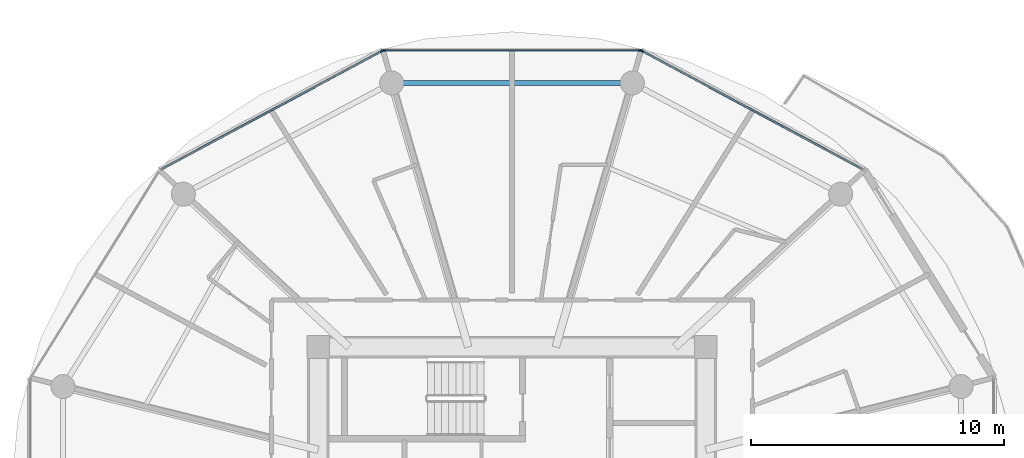
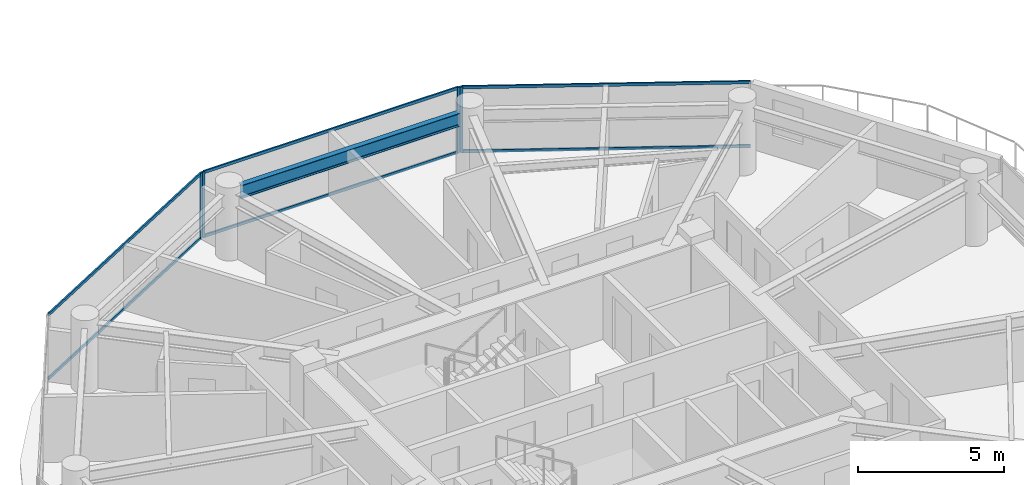
# One storey, part 9 of 26: 10 members, 1 beam, 3 elements without a shape of their own.
"""IFC4 building model written with IfcOpenShell, lengths in metres."""

import ifcopenshell
import ifcopenshell.guid

model = None  # the IFC model being written
_history = None  # IfcOwnerHistory: only IFC2X3 demands one
_inside = {}  # id of a spatial element -> (the spatial element, [elements in it])
_under = {}  # id of a project, library or spatial element -> (it, [spatial elements below it])
_declared = {}  # id of a project -> (the project, [libraries it declares])
_typed = {}  # id of a type object -> (the type object, [elements of that type])
_made_of = {}  # id of a material, layer set ... -> (it, [elements and type objects made of it])


def new_model(schema):
    """Start an empty IFC model of exactly this schema.

    Asked for "IFC4X3", IfcOpenShell would pick the latest addendum, in which some entities
    have other attributes; the version numbers below select the first issue.
    IFC2X3 requires an IfcOwnerHistory on every rooted entity: one is made here for all.
    """
    global model, _history
    if schema == "IFC4X3":
        model = ifcopenshell.file(schema_version=(4, 3, 0, 0))
    else:
        model = ifcopenshell.file(schema=schema)
    _inside.clear()
    _under.clear()
    _declared.clear()
    _typed.clear()
    _made_of.clear()
    _history = None
    if model.schema == "IFC2X3":
        org = make("IfcOrganization", Name="unknown")
        user = make(
            "IfcPersonAndOrganization",
            ThePerson=make("IfcPerson", FamilyName="unknown"),
            TheOrganization=org,
        )
        app = make(
            "IfcApplication",
            ApplicationDeveloper=org,
            Version="unknown",
            ApplicationFullName="unknown",
            ApplicationIdentifier="unknown",
        )
        _history = make(
            "IfcOwnerHistory",
            OwningUser=user,
            OwningApplication=app,
            ChangeAction="ADDED",
            CreationDate=0,
        )
    return model


def make(cls, **values):
    """One entity of the class cls with the attributes given. An attribute that is None is left unset."""
    return model.create_entity(
        cls, **{name: value for name, value in values.items() if value is not None}
    )


def rooted(cls, **values):
    """An entity with a GlobalId (a new one), such as an element, a storey or a relation."""
    return make(cls, GlobalId=ifcopenshell.guid.new(), OwnerHistory=_history, **values)


def si_unit(unit_type, name, prefix=None):
    """IfcSIUnit, for example si_unit("LENGTHUNIT", "METRE", prefix="MILLI")."""
    return make("IfcSIUnit", UnitType=unit_type, Prefix=prefix, Name=name)


def assignment(units):
    """IfcUnitAssignment: the units of a project."""
    return None if units is None else make("IfcUnitAssignment", Units=units)


def point(xyz):
    """IfcCartesianPoint."""
    return None if xyz is None else make("IfcCartesianPoint", Coordinates=xyz)


def direction(xyz):
    """IfcDirection."""
    return None if xyz is None else make("IfcDirection", DirectionRatios=xyz)


def frame(location, z_axis=None, x_axis=None):
    """IfcAxis2Placement3D, a coordinate frame: its origin and axes. An axis left out is left unset."""
    return make(
        "IfcAxis2Placement3D",
        Location=point(location),
        Axis=direction(z_axis),
        RefDirection=direction(x_axis),
    )


def frame_2d(location, x_axis=None):
    """IfcAxis2Placement2D, a coordinate frame in the plane: its origin and x axis."""
    return make(
        "IfcAxis2Placement2D", Location=point(location), RefDirection=direction(x_axis)
    )


def origin():
    """The frame at (0, 0, 0) with its axes left unset."""
    return frame((0.0, 0.0, 0.0))


def origin_2d():
    """The frame at (0, 0) in the plane with its x axis left unset."""
    return frame_2d((0.0, 0.0))


def place(relative_to, where):
    """IfcLocalPlacement: puts the frame where relative to a parent placement (None: the world)."""
    return make(
        "IfcLocalPlacement", PlacementRelTo=relative_to, RelativePlacement=where
    )


def context(
    kind, dimensions, precision=None, world=None, true_north=None, identifier=None
):
    """IfcGeometricRepresentationContext, for example the 3D "Model" context."""
    return make(
        "IfcGeometricRepresentationContext",
        ContextIdentifier=identifier,
        ContextType=kind,
        CoordinateSpaceDimension=dimensions,
        Precision=precision,
        WorldCoordinateSystem=world,
        TrueNorth=true_north,
    )


def subcontext(parent, identifier, kind, view, scale=None):
    """IfcGeometricRepresentationSubContext, for example "Body" below "Model"."""
    return make(
        "IfcGeometricRepresentationSubContext",
        ContextIdentifier=identifier,
        ContextType=kind,
        ParentContext=parent,
        TargetScale=scale,
        TargetView=view,
    )


def project(units=None, contexts=None):
    """IfcProject with its units and contexts."""
    return rooted(
        "IfcProject",
        Name="project",
        RepresentationContexts=contexts,
        UnitsInContext=assignment(units),
    )


def spatial(cls, under=None, at=None, **own):
    """A site, building, storey or space (cls), placed at a placement, below another one or the project."""
    s = rooted(cls, ObjectPlacement=at, **own)
    if under is not None:
        _under.setdefault(under.id(), (under, []))[1].append(s)
    return s


def profile(cls, at=None, kind="AREA", **sizes):
    """A parametric profile (cls). Its sizes go by their IFC names, for example OverallWidth=200.0."""
    return make(cls, ProfileType=kind, Position=at, **sizes)


def rectangle(**sizes):
    """IfcRectangleProfileDef."""
    return profile("IfcRectangleProfileDef", **sizes)


def i_section(**sizes):
    """IfcIShapeProfileDef."""
    return profile("IfcIShapeProfileDef", **sizes)


def extrude(swept, where, along, depth):
    """IfcExtrudedAreaSolid: the profile swept, set in the frame where, extruded along a direction by depth."""
    return make(
        "IfcExtrudedAreaSolid",
        SweptArea=swept,
        Position=where,
        ExtrudedDirection=direction(along),
        Depth=depth,
    )


def shape(context_of_items, identifier, shape_type, items):
    """IfcShapeRepresentation: the items that make up one representation, for example the "Body"."""
    return make(
        "IfcShapeRepresentation",
        ContextOfItems=context_of_items,
        RepresentationIdentifier=identifier,
        RepresentationType=shape_type,
        Items=items,
    )


def source(mapping_origin, context_of_items, identifier, shape_type, items):
    """IfcRepresentationMap: a shape defined once, which mapped items show again and again."""
    return make(
        "IfcRepresentationMap",
        MappingOrigin=mapping_origin,
        MappedRepresentation=shape(context_of_items, identifier, shape_type, items),
    )


def transform(
    local_origin,
    x_axis=None,
    y_axis=None,
    z_axis=None,
    scale=None,
    scale2=None,
    scale3=None,
    uniform=True,
):
    """IfcCartesianTransformationOperator3D, or its non-uniform kind. x_axis, y_axis, z_axis: its Axis1, 2, 3."""
    if uniform:
        return make(
            "IfcCartesianTransformationOperator3D",
            Axis1=direction(x_axis),
            Axis2=direction(y_axis),
            LocalOrigin=point(local_origin),
            Scale=scale,
            Axis3=direction(z_axis),
        )
    return make(
        "IfcCartesianTransformationOperator3DnonUniform",
        Axis1=direction(x_axis),
        Axis2=direction(y_axis),
        LocalOrigin=point(local_origin),
        Scale=scale,
        Axis3=direction(z_axis),
        Scale2=scale2,
        Scale3=scale3,
    )


def mapped(mapping_source, mapping_target):
    """IfcMappedItem: shows the shape of a source again, moved by a transform."""
    return make(
        "IfcMappedItem", MappingSource=mapping_source, MappingTarget=mapping_target
    )


def material(Name=None, Category=None):
    """IfcMaterial."""
    return make("IfcMaterial", Name=Name, Category=Category)


def layer(
    of_material, thickness, ventilated=None, Name=None, Category=None, Priority=None
):
    """IfcMaterialLayer: one layer of a wall or slab, of a material (None: an air gap)."""
    return make(
        "IfcMaterialLayer",
        Material=of_material,
        LayerThickness=thickness,
        IsVentilated=ventilated,
        Name=Name,
        Category=Category,
        Priority=Priority,
    )


def layer_set(layers, Name=None):
    """IfcMaterialLayerSet."""
    return make("IfcMaterialLayerSet", MaterialLayers=layers, LayerSetName=Name)


def material_profile(
    of_material, cross_section, Name=None, Category=None, Priority=None
):
    """IfcMaterialProfile: a cross section and its material."""
    return make(
        "IfcMaterialProfile",
        Name=Name,
        Material=of_material,
        Profile=cross_section,
        Priority=Priority,
        Category=Category,
    )


def profile_set(profiles, Name=None, composite=None):
    """IfcMaterialProfileSet."""
    return make(
        "IfcMaterialProfileSet",
        Name=Name,
        MaterialProfiles=profiles,
        CompositeProfile=composite,
    )


def made_of(thing, what):
    """Note that an element or type object is made of a material, layer set ...; save() writes the relation."""
    if what is not None:
        _made_of.setdefault(what.id(), (what, []))[1].append(thing)
    return thing


def type_object(cls, material=None, **own):
    """A type object (cls), such as IfcWallType, which elements share."""
    return made_of(rooted(cls, **own), material)


def type_shapes(of_type, sources):
    """Give a type object the sources (RepresentationMaps) that its elements show as mapped items."""
    of_type.RepresentationMaps = sources


def element(
    cls,
    number,
    at=None,
    inside=None,
    cuts=None,
    type_object=None,
    material=None,
    context=None,
    identifier="Body",
    shape_type=None,
    held_by="IfcProductDefinitionShape",
    body=None,
    shapes=None,
    **own,
):
    """One element of the class cls, such as IfcWall. Its Tag is "e" and its number.

    at: its placement. inside: the storey or other place that contains it. cuts: it is an
    opening in that element (IfcRelVoidsElement). A single representation is given by context,
    identifier, shape_type and body (its items); several are given by shapes. held_by: the class
    of the entity that holds the representations. save() writes the other relations.
    """
    e = rooted(cls, Tag="e%d" % number, ObjectPlacement=at, **own)
    if body is not None:
        shapes = [shape(context, identifier, shape_type, body)]
    if shapes is not None:
        e.Representation = make(held_by, Representations=shapes)
    if inside is not None:
        _inside.setdefault(inside.id(), (inside, []))[1].append(e)
    if cuts is not None:
        rooted(
            "IfcRelVoidsElement", RelatingBuildingElement=cuts, RelatedOpeningElement=e
        )
    if type_object is not None:
        _typed.setdefault(type_object.id(), (type_object, []))[1].append(e)
    return made_of(e, material)


def aggregate(whole, parts):
    """IfcRelAggregates: a whole, such as a stair, and the parts it consists of."""
    return rooted("IfcRelAggregates", RelatingObject=whole, RelatedObjects=parts)


def save(model, path):
    """Write the relations noted so far, then the file.

    IfcRelAggregates (storeys below a building ...), IfcRelContainedInSpatialStructure (elements
    in a storey), IfcRelDefinesByType, IfcRelAssociatesMaterial and IfcRelDeclares: one each for
    every whole, place, type object, material and project.
    """
    for whole, parts in _under.values():
        aggregate(whole, parts)
    for where, things in _inside.values():
        rooted(
            "IfcRelContainedInSpatialStructure",
            RelatedElements=things,
            RelatingStructure=where,
        )
    for kind, things in _typed.values():
        rooted("IfcRelDefinesByType", RelatedObjects=things, RelatingType=kind)
    for what, things in _made_of.values():
        rooted("IfcRelAssociatesMaterial", RelatedObjects=things, RelatingMaterial=what)
    for by, libraries in _declared.values():
        rooted("IfcRelDeclares", RelatingContext=by, RelatedDefinitions=libraries)
    model.write(path)


model = new_model("IFC4")

# Units and contexts
model_context = context("Model", 3, precision=1e-05, world=origin(), true_north=direction((0.0, 1.0)))
body_context = subcontext(model_context, "Body", "Model", "MODEL_VIEW")
ifc_project = project(units=[si_unit("LENGTHUNIT", "METRE"), si_unit("AREAUNIT", "SQUARE_METRE"), si_unit("VOLUMEUNIT", "CUBIC_METRE"), si_unit("PLANEANGLEUNIT", "RADIAN"), si_unit("MASSUNIT", "GRAM", prefix="KILO")], contexts=[model_context])

# Site, building, storey
site_placement = place(None, origin())
site = spatial("IfcSite", under=ifc_project, at=site_placement, CompositionType="ELEMENT")
building_placement = place(site_placement, origin())
building = spatial("IfcBuilding", under=site, at=building_placement, Name="Norrkilde Senior Care Towers", CompositionType="ELEMENT")
storey_placement = place(building_placement, frame((0.0, 0.0, 70.39990234375)))
storey = spatial("IfcBuildingStorey", under=building, at=storey_placement, Name="L21", CompositionType="ELEMENT", Elevation=70.39990234375)

# Beam
ifc_material_1 = material(Name="Steel S355", Category="steel")
ifc_material_profile_1 = material_profile(ifc_material_1, i_section(OverallWidth=0.2099609375, OverallDepth=0.550048828125, WebThickness=0.010986328125, FlangeThickness=0.01708984375, FilletRadius=0.02392578125, at=origin_2d()), Name="IPE 550")
ifc_profile_set_1 = profile_set([ifc_material_profile_1], Name="Steel S355")
beam_type = type_object("IfcBeamType", Name="Perimeter Ring Spandrel Z1 IPE550", PredefinedType="SPANDREL", material=ifc_profile_set_1)
shared_shape_1 = source(origin(), body_context, "Body", "SweptSolid", [
    extrude(i_section(OverallWidth=0.2099609375, OverallDepth=0.550048828125, WebThickness=0.010986328125, FlangeThickness=0.01708984375, FilletRadius=0.02392578125, at=origin_2d()), origin(), (0.0, 0.0, 1.0), 8.62841796875),
])
type_shapes(beam_type, [shared_shape_1])
beam_placement = place(storey_placement, frame((-23.685791015625, 16.37255859375, 2.455078125), z_axis=(-1.0, 0.0, 0.0), x_axis=(0.0, -1.0, 0.0)))
element("IfcBeam", 1, at=beam_placement, inside=storey, type_object=beam_type, Name="L21 Drum W Perimeter Spandrel 03", PredefinedType="SPANDREL", context=body_context, shape_type="MappedRepresentation", body=[
    mapped(shared_shape_1, transform((0.0, 0.0, 0.0), x_axis=(1.0, 0.0, 0.0), y_axis=(0.0, 1.0, 0.0), z_axis=(0.0, 0.0, 1.0), scale=1.0)),
])

# Curtain wall, members
ifc_material_2 = material(Name="Triple Low-E Insulated Glazing", Category="glass")
ifc_layer = layer(ifc_material_2, 0.199951171875)
ifc_layer_set = layer_set([ifc_layer], Name="Triple Low-E Insulated Glazing")
curtain_wall_type = type_object("IfcCurtainWallType", Name="CW2 Zone 1 Memory Care Curtain Wall", PredefinedType="NOTDEFINED", material=ifc_layer_set)
curtain_wall_1_placement = place(storey_placement, origin())
curtain_wall_1 = element("IfcCurtainWall", 2, at=curtain_wall_1_placement, inside=storey, type_object=curtain_wall_type, Name="L21 Drum W Curtain Wall 01", PredefinedType="NOTDEFINED")
ifc_material_3 = material(Name="Anodised Aluminium", Category="aluminium")
ifc_material_profile_2 = material_profile(ifc_material_3, rectangle(XDim=0.06005859375, YDim=0.1201171875, at=origin_2d()), Name="ALU TRAN 60x120")
ifc_profile_set_2 = profile_set([ifc_material_profile_2], Name="Anodised Aluminium")
member_type_1 = type_object("IfcMemberType", Name="Curtain Wall Transom Typical 60x120", PredefinedType="USERDEFINED", material=ifc_profile_set_2)
shared_shape_2 = source(origin(), body_context, "Body", "SweptSolid", [
    extrude(rectangle(XDim=0.06005859375, YDim=0.1201171875, at=origin_2d()), origin(), (0.0, 0.0, 1.0), 9.880859375),
])
member_1_placement = place(storey_placement, frame((-22.84912109375, 17.62646484375, 0.030029296875), z_axis=(0.881267204043, -0.47261836092, 0.0), x_axis=(0.47261836092, 0.881267204043, 0.0)))
member_1 = element("IfcMember", 3, at=member_1_placement, type_object=member_type_1, Name="CW-2 transom 1.1", ObjectType="TRANSOM", PredefinedType="USERDEFINED", context=body_context, shape_type="MappedRepresentation", body=[
    mapped(shared_shape_2, transform((0.0, 0.0, 0.0), x_axis=(1.0, 0.0, 0.0), y_axis=(0.0, 1.0, 0.0), z_axis=(0.0, 0.0, 1.0), scale=1.0)),
])
member_2_placement = place(storey_placement, frame((-22.84912109375, 17.62646484375, 2.7001953125), z_axis=(0.881267204043, -0.47261836092, 0.0), x_axis=(0.47261836092, 0.881267204043, 0.0)))
member_2 = element("IfcMember", 4, at=member_2_placement, type_object=member_type_1, Name="CW-2 transom 1.2", ObjectType="TRANSOM", PredefinedType="USERDEFINED", context=body_context, shape_type="MappedRepresentation", body=[
    mapped(shared_shape_2, transform((0.0, 0.0, 0.0), x_axis=(1.0, 0.0, 0.0), y_axis=(0.0, 1.0, 0.0), z_axis=(0.0, 0.0, 1.0), scale=1.0)),
])

curtain_wall_2_placement = place(storey_placement, origin())
curtain_wall_2 = element("IfcCurtainWall", 5, at=curtain_wall_2_placement, inside=storey, type_object=curtain_wall_type, Name="L21 Drum W Curtain Wall 03", PredefinedType="NOTDEFINED")
member_3_placement = place(storey_placement, frame((-41.858642578125, 12.95654296875, 0.030029296875), z_axis=(0.881267204043, 0.47261836092, 0.0), x_axis=(-0.47261836092, 0.881267204043, 0.0)))
member_3 = element("IfcMember", 6, at=member_3_placement, type_object=member_type_1, Name="CW-2 transom 1.1", ObjectType="TRANSOM", PredefinedType="USERDEFINED", context=body_context, shape_type="MappedRepresentation", body=[
    mapped(shared_shape_2, transform((0.0, 0.0, 0.0), x_axis=(1.0, 0.0, 0.0), y_axis=(0.0, 1.0, 0.0), z_axis=(0.0, 0.0, 1.0), scale=1.0)),
])
member_4_placement = place(storey_placement, frame((-41.858642578125, 12.95654296875, 2.7001953125), z_axis=(0.881267204043, 0.47261836092, 0.0), x_axis=(-0.47261836092, 0.881267204043, 0.0)))
member_4 = element("IfcMember", 7, at=member_4_placement, type_object=member_type_1, Name="CW-2 transom 1.2", ObjectType="TRANSOM", PredefinedType="USERDEFINED", context=body_context, shape_type="MappedRepresentation", body=[
    mapped(shared_shape_2, transform((0.0, 0.0, 0.0), x_axis=(1.0, 0.0, 0.0), y_axis=(0.0, 1.0, 0.0), z_axis=(0.0, 0.0, 1.0), scale=1.0)),
])

curtain_wall_3_placement = place(storey_placement, origin())
curtain_wall_3 = element("IfcCurtainWall", 8, at=curtain_wall_3_placement, inside=storey, type_object=curtain_wall_type, Name="L21 Drum W Curtain Wall 02", PredefinedType="NOTDEFINED")
shared_shape_3 = source(origin(), body_context, "Body", "SweptSolid", [
    extrude(rectangle(XDim=0.06005859375, YDim=0.1201171875, at=origin_2d()), origin(), (0.0, 0.0, 1.0), 10.05712890625),
])
type_shapes(member_type_1, [shared_shape_2, shared_shape_3])
member_5_placement = place(storey_placement, frame((-33.028564453125, 17.6572265625, 0.030029296875), z_axis=(1.0, 0.0, 0.0), x_axis=(0.0, 1.0, 0.0)))
member_5 = element("IfcMember", 9, at=member_5_placement, type_object=member_type_1, Name="CW-2 transom 1.1", ObjectType="TRANSOM", PredefinedType="USERDEFINED", context=body_context, shape_type="MappedRepresentation", body=[
    mapped(shared_shape_3, transform((0.0, 0.0, 0.0), x_axis=(1.0, 0.0, 0.0), y_axis=(0.0, 1.0, 0.0), z_axis=(0.0, 0.0, 1.0), scale=1.0)),
])
member_6_placement = place(storey_placement, frame((-33.028564453125, 17.6572265625, 2.7001953125), z_axis=(1.0, 0.0, 0.0), x_axis=(0.0, 1.0, 0.0)))
member_6 = element("IfcMember", 10, at=member_6_placement, type_object=member_type_1, Name="CW-2 transom 1.2", ObjectType="TRANSOM", PredefinedType="USERDEFINED", context=body_context, shape_type="MappedRepresentation", body=[
    mapped(shared_shape_3, transform((0.0, 0.0, 0.0), x_axis=(1.0, 0.0, 0.0), y_axis=(0.0, 1.0, 0.0), z_axis=(0.0, 0.0, 1.0), scale=1.0)),
])

# Member
ifc_material_profile_3 = material_profile(ifc_material_3, rectangle(XDim=0.06494140625, YDim=0.159912109375, at=origin_2d()), Name="ALU MULL 65x160")
ifc_profile_set_3 = profile_set([ifc_material_profile_3], Name="Anodised Aluminium")
member_type_2 = type_object("IfcMemberType", Name="Curtain Wall Mullion Z1-Z2 65x160", PredefinedType="MULLION", material=ifc_profile_set_3)
shared_shape_4 = source(origin(), body_context, "Body", "SweptSolid", [
    extrude(rectangle(XDim=0.06494140625, YDim=0.159912109375, at=origin_2d()), origin(), (0.0, 0.0, 1.0), 2.72998046875),
])
type_shapes(member_type_2, [shared_shape_4])
member_7_placement = place(storey_placement, frame((-22.877685546875, 17.641845703125, 0.0), z_axis=(0.0, 0.0, 1.0), x_axis=(0.472607802456, 0.881272866403, 0.0)))
member_7 = element("IfcMember", 11, at=member_7_placement, type_object=member_type_2, Name="CW-2 mullion 1", PredefinedType="MULLION", context=body_context, shape_type="MappedRepresentation", body=[
    mapped(shared_shape_4, transform((0.0, 0.0, 0.0), x_axis=(1.0, 0.0, 0.0), y_axis=(0.0, 1.0, 0.0), z_axis=(0.0, 0.0, 1.0), scale=1.0)),
])

aggregate(curtain_wall_1, [member_7, member_1, member_2])

member_8_placement = place(storey_placement, frame((-33.06103515625, 17.6572265625, 0.0), z_axis=(0.0, 0.0, 1.0), x_axis=(0.0, 1.0, 0.0)))
member_8 = element("IfcMember", 12, at=member_8_placement, type_object=member_type_2, Name="CW-2 mullion 1", PredefinedType="MULLION", context=body_context, shape_type="MappedRepresentation", body=[
    mapped(shared_shape_4, transform((0.0, 0.0, 0.0), x_axis=(1.0, 0.0, 0.0), y_axis=(0.0, 1.0, 0.0), z_axis=(0.0, 0.0, 1.0), scale=1.0)),
])

member_9_placement = place(storey_placement, frame((-22.93896484375, 17.6572265625, 0.0), z_axis=(0.0, 0.0, 1.0), x_axis=(0.0, 1.0, 0.0)))
member_9 = element("IfcMember", 13, at=member_9_placement, type_object=member_type_2, Name="CW-2 mullion 2", PredefinedType="MULLION", context=body_context, shape_type="MappedRepresentation", body=[
    mapped(shared_shape_4, transform((0.0, 0.0, 0.0), x_axis=(1.0, 0.0, 0.0), y_axis=(0.0, 1.0, 0.0), z_axis=(0.0, 0.0, 1.0), scale=1.0)),
])

aggregate(curtain_wall_3, [member_8, member_9, member_5, member_6])

member_10_placement = place(storey_placement, frame((-33.122314453125, 17.641845703125, 0.0), z_axis=(0.0, 0.0, 1.0), x_axis=(-0.472607802456, 0.881272866403, 0.0)))
member_10 = element("IfcMember", 14, at=member_10_placement, type_object=member_type_2, Name="CW-2 mullion 2", PredefinedType="MULLION", context=body_context, shape_type="MappedRepresentation", body=[
    mapped(shared_shape_4, transform((0.0, 0.0, 0.0), x_axis=(1.0, 0.0, 0.0), y_axis=(0.0, 1.0, 0.0), z_axis=(0.0, 0.0, 1.0), scale=1.0)),
])

aggregate(curtain_wall_2, [member_10, member_3, member_4])

save(model, "model.ifc")
